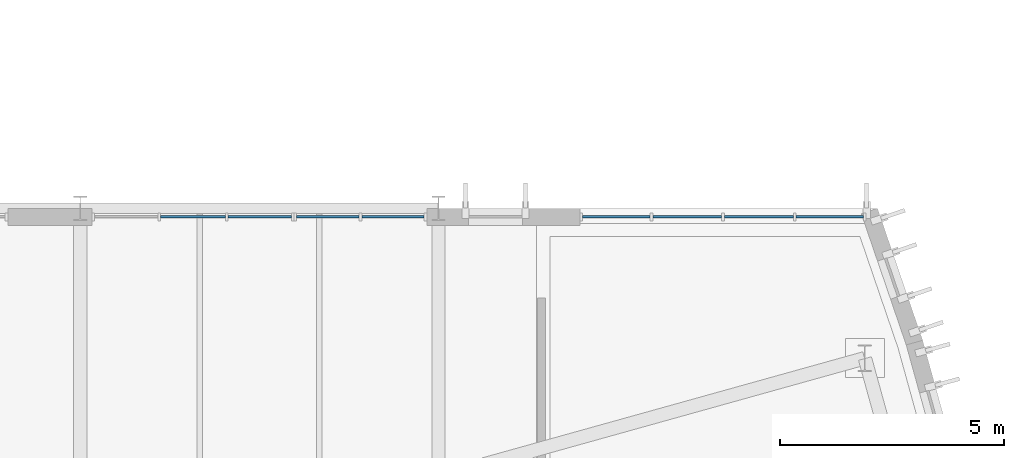
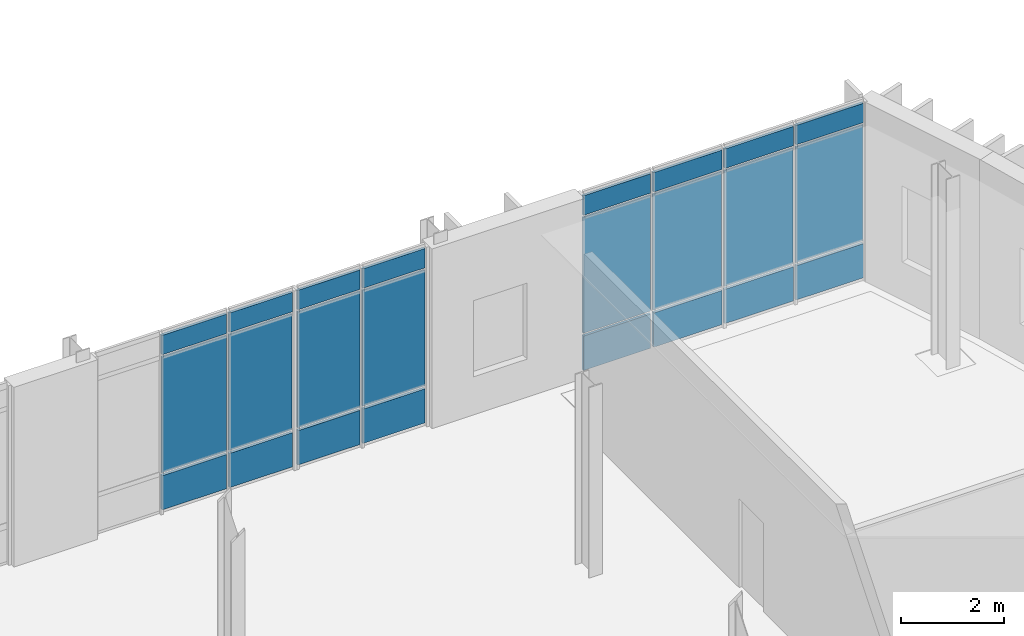
# One storey, part 59 of 100: 24 plates, 3 elements without a shape of their own.
"""IFC4 building model written with IfcOpenShell, lengths in metres."""

from ifc_helpers import new_model, si_unit, direction, frame, origin, origin_2d, place, context, subcontext, project, spatial, rectangle, extrude, material, layer, layer_set, type_object, element, aggregate, save


model = new_model("IFC4")

# Units and contexts
model_context = context("Model", 3, precision=1e-05, world=origin(), true_north=direction((0.0, 1.0)))
body_context = subcontext(model_context, "Body", "Model", "MODEL_VIEW")
ifc_project = project(units=[si_unit("LENGTHUNIT", "METRE"), si_unit("AREAUNIT", "SQUARE_METRE"), si_unit("VOLUMEUNIT", "CUBIC_METRE"), si_unit("PLANEANGLEUNIT", "RADIAN"), si_unit("MASSUNIT", "GRAM", prefix="KILO")], contexts=[model_context])

# Site, building, storey
site_placement = place(None, origin())
site = spatial("IfcSite", under=ifc_project, at=site_placement, CompositionType="ELEMENT")
building_placement = place(site_placement, origin())
building = spatial("IfcBuilding", under=site, at=building_placement, Name="Cymarion Research Institute", CompositionType="ELEMENT")
storey_placement = place(building_placement, frame((0.0, 0.0, 4.800048828125)))
storey = spatial("IfcBuildingStorey", under=building, at=storey_placement, Name="L01", CompositionType="ELEMENT", Elevation=4.800048828125)

# Curtain wall, plates
ifc_material_1 = material(Name="Anodised aluminium unitised curtain wall with Low-E glazing", Category="aluminium")
curtain_wall_type_1 = type_object("IfcCurtainWallType", Name="UNITISED CURTAIN WALL CW02 6390X4250", PredefinedType="NOTDEFINED", material=ifc_material_1)
curtain_wall_1_placement = place(storey_placement, origin())
curtain_wall_1 = element("IfcCurtainWall", 1, at=curtain_wall_1_placement, inside=storey, type_object=curtain_wall_type_1, Name="L01 V1 unitised curtain wall CW02 #8", PredefinedType="NOTDEFINED")
ifc_material_2 = material(Name="Insulated anodised aluminium spandrel panel", Category="aluminium")
ifc_layer_1 = layer(ifc_material_2, 0.06005859375)
ifc_layer_set_1 = layer_set([ifc_layer_1], Name="Insulated anodised aluminium spandrel panel")
plate_type_1 = type_object("IfcPlateType", Name="INSULATED ALUMINIUM SPANDREL PANEL SP01 60MM", PredefinedType="SHEET", material=ifc_layer_set_1)
plate_1_placement = place(storey_placement, frame((163.3330078125, 41.31005859375, 0.059814453125), z_axis=(0.0, 0.0, 1.0), x_axis=(-1.0, 0.0, 0.0)))
plate_1 = element("IfcPlate", 2, at=plate_1_placement, type_object=plate_type_1, Name="CW02 panel 1.1", PredefinedType="SHEET", context=body_context, shape_type="SweptSolid", body=[
    extrude(rectangle(XDim=1.506591796875, YDim=0.06005859375, at=origin_2d()), origin(), (0.0, 0.0, 1.0), 0.81005859375),
])
plate_2_placement = place(storey_placement, frame((163.3330078125, 41.31005859375, 3.72998046875), z_axis=(0.0, 0.0, 1.0), x_axis=(-1.0, 0.0, 0.0)))
plate_2 = element("IfcPlate", 3, at=plate_2_placement, type_object=plate_type_1, Name="CW02 panel 1.3", PredefinedType="SHEET", context=body_context, shape_type="SweptSolid", body=[
    extrude(rectangle(XDim=1.506591796875, YDim=0.06005859375, at=origin_2d()), origin(), (0.0, 0.0, 1.0), 0.4599609375),
])
plate_3_placement = place(storey_placement, frame((161.75146484375, 41.31005859375, 0.059814453125), z_axis=(0.0, 0.0, 1.0), x_axis=(-1.0, 0.0, 0.0)))
plate_3 = element("IfcPlate", 4, at=plate_3_placement, type_object=plate_type_1, Name="CW02 panel 2.1", PredefinedType="SHEET", context=body_context, shape_type="SweptSolid", body=[
    extrude(rectangle(XDim=1.53662109375, YDim=0.06005859375, at=origin_2d()), origin(), (0.0, 0.0, 1.0), 0.81005859375),
])
plate_4_placement = place(storey_placement, frame((161.75146484375, 41.31005859375, 3.72998046875), z_axis=(0.0, 0.0, 1.0), x_axis=(-1.0, 0.0, 0.0)))
plate_4 = element("IfcPlate", 5, at=plate_4_placement, type_object=plate_type_1, Name="CW02 panel 2.3", PredefinedType="SHEET", context=body_context, shape_type="SweptSolid", body=[
    extrude(rectangle(XDim=1.53662109375, YDim=0.06005859375, at=origin_2d()), origin(), (0.0, 0.0, 1.0), 0.4599609375),
])
plate_5_placement = place(storey_placement, frame((160.15478515625, 41.31005859375, 0.059814453125), z_axis=(0.0, 0.0, 1.0), x_axis=(-1.0, 0.0, 0.0)))
plate_5 = element("IfcPlate", 6, at=plate_5_placement, type_object=plate_type_1, Name="CW02 panel 3.1", PredefinedType="SHEET", context=body_context, shape_type="SweptSolid", body=[
    extrude(rectangle(XDim=1.53662109375, YDim=0.06005859375, at=origin_2d()), origin(), (0.0, 0.0, 1.0), 0.81005859375),
])
plate_6_placement = place(storey_placement, frame((160.15478515625, 41.31005859375, 3.72998046875), z_axis=(0.0, 0.0, 1.0), x_axis=(-1.0, 0.0, 0.0)))
plate_6 = element("IfcPlate", 7, at=plate_6_placement, type_object=plate_type_1, Name="CW02 panel 3.3", PredefinedType="SHEET", context=body_context, shape_type="SweptSolid", body=[
    extrude(rectangle(XDim=1.53662109375, YDim=0.06005859375, at=origin_2d()), origin(), (0.0, 0.0, 1.0), 0.4599609375),
])
plate_7_placement = place(storey_placement, frame((158.5732421875, 41.31005859375, 0.059814453125), z_axis=(0.0, 0.0, 1.0), x_axis=(-1.0, 0.0, 0.0)))
plate_7 = element("IfcPlate", 8, at=plate_7_placement, type_object=plate_type_1, Name="CW02 panel 4.1", PredefinedType="SHEET", context=body_context, shape_type="SweptSolid", body=[
    extrude(rectangle(XDim=1.506591796875, YDim=0.06005859375, at=origin_2d()), origin(), (0.0, 0.0, 1.0), 0.81005859375),
])
plate_8_placement = place(storey_placement, frame((158.5732421875, 41.31005859375, 3.72998046875), z_axis=(0.0, 0.0, 1.0), x_axis=(-1.0, 0.0, 0.0)))
plate_8 = element("IfcPlate", 9, at=plate_8_placement, type_object=plate_type_1, Name="CW02 panel 4.3", PredefinedType="SHEET", context=body_context, shape_type="SweptSolid", body=[
    extrude(rectangle(XDim=1.506591796875, YDim=0.06005859375, at=origin_2d()), origin(), (0.0, 0.0, 1.0), 0.4599609375),
])

curtain_wall_type_2 = type_object("IfcCurtainWallType", Name="UNITISED CURTAIN WALL CW03 2970X4250", PredefinedType="NOTDEFINED", material=ifc_material_1)
curtain_wall_2_placement = place(storey_placement, origin())
curtain_wall_2 = element("IfcCurtainWall", 10, at=curtain_wall_2_placement, inside=storey, type_object=curtain_wall_type_2, Name="L01 V1 unitised curtain wall CW03 #9", PredefinedType="NOTDEFINED")
plate_9_placement = place(storey_placement, frame((153.583251953125, 41.31005859375, 0.059814453125), z_axis=(0.0, 0.0, 1.0), x_axis=(-1.0, 0.0, 0.0)))
plate_9 = element("IfcPlate", 11, at=plate_9_placement, type_object=plate_type_1, Name="CW03 panel 1.1", PredefinedType="SHEET", context=body_context, shape_type="SweptSolid", body=[
    extrude(rectangle(XDim=1.393310546875, YDim=0.06005859375, at=origin_2d()), origin(), (0.0, 0.0, 1.0), 0.81005859375),
])
plate_10_placement = place(storey_placement, frame((153.583251953125, 41.31005859375, 3.72998046875), z_axis=(0.0, 0.0, 1.0), x_axis=(-1.0, 0.0, 0.0)))
plate_10 = element("IfcPlate", 12, at=plate_10_placement, type_object=plate_type_1, Name="CW03 panel 1.3", PredefinedType="SHEET", context=body_context, shape_type="SweptSolid", body=[
    extrude(rectangle(XDim=1.393310546875, YDim=0.06005859375, at=origin_2d()), origin(), (0.0, 0.0, 1.0), 0.4599609375),
])
plate_11_placement = place(storey_placement, frame((152.1298828125, 41.31005859375, 0.059814453125), z_axis=(0.0, 0.0, 1.0), x_axis=(-1.0, 0.0, 0.0)))
plate_11 = element("IfcPlate", 13, at=plate_11_placement, type_object=plate_type_1, Name="CW03 panel 2.1", PredefinedType="SHEET", context=body_context, shape_type="SweptSolid", body=[
    extrude(rectangle(XDim=1.393310546875, YDim=0.06005859375, at=origin_2d()), origin(), (0.0, 0.0, 1.0), 0.81005859375),
])
plate_12_placement = place(storey_placement, frame((152.1298828125, 41.31005859375, 3.72998046875), z_axis=(0.0, 0.0, 1.0), x_axis=(-1.0, 0.0, 0.0)))
plate_12 = element("IfcPlate", 14, at=plate_12_placement, type_object=plate_type_1, Name="CW03 panel 2.3", PredefinedType="SHEET", context=body_context, shape_type="SweptSolid", body=[
    extrude(rectangle(XDim=1.393310546875, YDim=0.06005859375, at=origin_2d()), origin(), (0.0, 0.0, 1.0), 0.4599609375),
])

curtain_wall_type_3 = type_object("IfcCurtainWallType", Name="UNITISED CURTAIN WALL CW04 4510X4250", PredefinedType="NOTDEFINED", material=ifc_material_1)
curtain_wall_3_placement = place(storey_placement, origin())
curtain_wall_3 = element("IfcCurtainWall", 15, at=curtain_wall_3_placement, inside=storey, type_object=curtain_wall_type_3, Name="L01 V1 unitised curtain wall CW04 #10", PredefinedType="NOTDEFINED")
plate_13_placement = place(storey_placement, frame((150.60595703125, 41.31005859375, 0.059814453125), z_axis=(0.0, 0.0, 1.0), x_axis=(-1.0, 0.0, 0.0)))
plate_13 = element("IfcPlate", 16, at=plate_13_placement, type_object=plate_type_1, Name="CW04 panel 1.1", PredefinedType="SHEET", context=body_context, shape_type="SweptSolid", body=[
    extrude(rectangle(XDim=1.414306640625, YDim=0.06005859375, at=origin_2d()), origin(), (0.0, 0.0, 1.0), 0.81005859375),
])
plate_14_placement = place(storey_placement, frame((150.60595703125, 41.31005859375, 3.72998046875), z_axis=(0.0, 0.0, 1.0), x_axis=(-1.0, 0.0, 0.0)))
plate_14 = element("IfcPlate", 17, at=plate_14_placement, type_object=plate_type_1, Name="CW04 panel 1.3", PredefinedType="SHEET", context=body_context, shape_type="SweptSolid", body=[
    extrude(rectangle(XDim=1.414306640625, YDim=0.06005859375, at=origin_2d()), origin(), (0.0, 0.0, 1.0), 0.4599609375),
])
plate_15_placement = place(storey_placement, frame((149.11669921875, 41.31005859375, 0.059814453125), z_axis=(0.0, 0.0, 1.0), x_axis=(-1.0, 0.0, 0.0)))
plate_15 = element("IfcPlate", 18, at=plate_15_placement, type_object=plate_type_1, Name="CW04 panel 2.1", PredefinedType="SHEET", context=body_context, shape_type="SweptSolid", body=[
    extrude(rectangle(XDim=1.4443359375, YDim=0.06005859375, at=origin_2d()), origin(), (0.0, 0.0, 1.0), 0.81005859375),
])
plate_16_placement = place(storey_placement, frame((149.11669921875, 41.31005859375, 3.72998046875), z_axis=(0.0, 0.0, 1.0), x_axis=(-1.0, 0.0, 0.0)))
plate_16 = element("IfcPlate", 19, at=plate_16_placement, type_object=plate_type_1, Name="CW04 panel 2.3", PredefinedType="SHEET", context=body_context, shape_type="SweptSolid", body=[
    extrude(rectangle(XDim=1.4443359375, YDim=0.06005859375, at=origin_2d()), origin(), (0.0, 0.0, 1.0), 0.4599609375),
])

# Plate
ifc_material_3 = material(Name="Low-E double solar-control glazing", Category="glass")
ifc_layer_2 = layer(ifc_material_3, 0.035888671875)
ifc_layer_set_2 = layer_set([ifc_layer_2], Name="Low-E double solar-control glazing")
plate_type_2 = type_object("IfcPlateType", Name="SOLAR CONTROL GLAZED VISION PANEL GP01 36MM", PredefinedType="CURTAIN_PANEL", material=ifc_layer_set_2)
plate_17_placement = place(storey_placement, frame((163.3330078125, 41.31005859375, 0.93017578125), z_axis=(0.0, 0.0, 1.0), x_axis=(-1.0, 0.0, 0.0)))
plate_17 = element("IfcPlate", 20, at=plate_17_placement, type_object=plate_type_2, Name="CW02 panel 1.2", PredefinedType="CURTAIN_PANEL", context=body_context, shape_type="SweptSolid", body=[
    extrude(rectangle(XDim=1.506591796875, YDim=0.035888671875, at=origin_2d()), origin(), (0.0, 0.0, 1.0), 2.739990234375),
])

plate_18_placement = place(storey_placement, frame((161.75146484375, 41.31005859375, 0.93017578125), z_axis=(0.0, 0.0, 1.0), x_axis=(-1.0, 0.0, 0.0)))
plate_18 = element("IfcPlate", 21, at=plate_18_placement, type_object=plate_type_2, Name="CW02 panel 2.2", PredefinedType="CURTAIN_PANEL", context=body_context, shape_type="SweptSolid", body=[
    extrude(rectangle(XDim=1.53662109375, YDim=0.035888671875, at=origin_2d()), origin(), (0.0, 0.0, 1.0), 2.739990234375),
])

plate_19_placement = place(storey_placement, frame((160.15478515625, 41.31005859375, 0.93017578125), z_axis=(0.0, 0.0, 1.0), x_axis=(-1.0, 0.0, 0.0)))
plate_19 = element("IfcPlate", 22, at=plate_19_placement, type_object=plate_type_2, Name="CW02 panel 3.2", PredefinedType="CURTAIN_PANEL", context=body_context, shape_type="SweptSolid", body=[
    extrude(rectangle(XDim=1.53662109375, YDim=0.035888671875, at=origin_2d()), origin(), (0.0, 0.0, 1.0), 2.739990234375),
])

plate_20_placement = place(storey_placement, frame((158.5732421875, 41.31005859375, 0.93017578125), z_axis=(0.0, 0.0, 1.0), x_axis=(-1.0, 0.0, 0.0)))
plate_20 = element("IfcPlate", 23, at=plate_20_placement, type_object=plate_type_2, Name="CW02 panel 4.2", PredefinedType="CURTAIN_PANEL", context=body_context, shape_type="SweptSolid", body=[
    extrude(rectangle(XDim=1.506591796875, YDim=0.035888671875, at=origin_2d()), origin(), (0.0, 0.0, 1.0), 2.739990234375),
])

aggregate(curtain_wall_1, [plate_1, plate_17, plate_2, plate_3, plate_18, plate_4, plate_5, plate_19, plate_6, plate_7, plate_20, plate_8])

plate_21_placement = place(storey_placement, frame((153.583251953125, 41.31005859375, 0.93017578125), z_axis=(0.0, 0.0, 1.0), x_axis=(-1.0, 0.0, 0.0)))
plate_21 = element("IfcPlate", 24, at=plate_21_placement, type_object=plate_type_2, Name="CW03 panel 1.2", PredefinedType="CURTAIN_PANEL", context=body_context, shape_type="SweptSolid", body=[
    extrude(rectangle(XDim=1.393310546875, YDim=0.035888671875, at=origin_2d()), origin(), (0.0, 0.0, 1.0), 2.739990234375),
])

plate_22_placement = place(storey_placement, frame((152.1298828125, 41.31005859375, 0.93017578125), z_axis=(0.0, 0.0, 1.0), x_axis=(-1.0, 0.0, 0.0)))
plate_22 = element("IfcPlate", 25, at=plate_22_placement, type_object=plate_type_2, Name="CW03 panel 2.2", PredefinedType="CURTAIN_PANEL", context=body_context, shape_type="SweptSolid", body=[
    extrude(rectangle(XDim=1.393310546875, YDim=0.035888671875, at=origin_2d()), origin(), (0.0, 0.0, 1.0), 2.739990234375),
])

aggregate(curtain_wall_2, [plate_9, plate_21, plate_10, plate_11, plate_22, plate_12])

plate_23_placement = place(storey_placement, frame((150.60595703125, 41.31005859375, 0.93017578125), z_axis=(0.0, 0.0, 1.0), x_axis=(-1.0, 0.0, 0.0)))
plate_23 = element("IfcPlate", 26, at=plate_23_placement, type_object=plate_type_2, Name="CW04 panel 1.2", PredefinedType="CURTAIN_PANEL", context=body_context, shape_type="SweptSolid", body=[
    extrude(rectangle(XDim=1.414306640625, YDim=0.035888671875, at=origin_2d()), origin(), (0.0, 0.0, 1.0), 2.739990234375),
])

plate_24_placement = place(storey_placement, frame((149.11669921875, 41.31005859375, 0.93017578125), z_axis=(0.0, 0.0, 1.0), x_axis=(-1.0, 0.0, 0.0)))
plate_24 = element("IfcPlate", 27, at=plate_24_placement, type_object=plate_type_2, Name="CW04 panel 2.2", PredefinedType="CURTAIN_PANEL", context=body_context, shape_type="SweptSolid", body=[
    extrude(rectangle(XDim=1.4443359375, YDim=0.035888671875, at=origin_2d()), origin(), (0.0, 0.0, 1.0), 2.739990234375),
])

aggregate(curtain_wall_3, [plate_13, plate_23, plate_14, plate_15, plate_24, plate_16])

save(model, "model.ifc")
